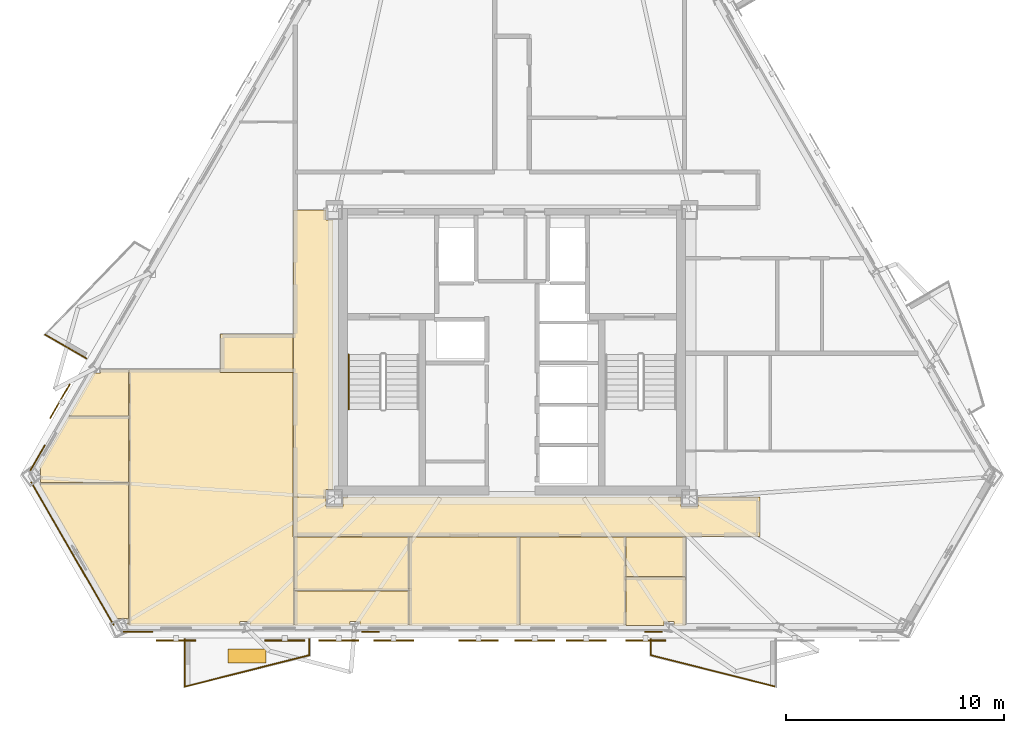
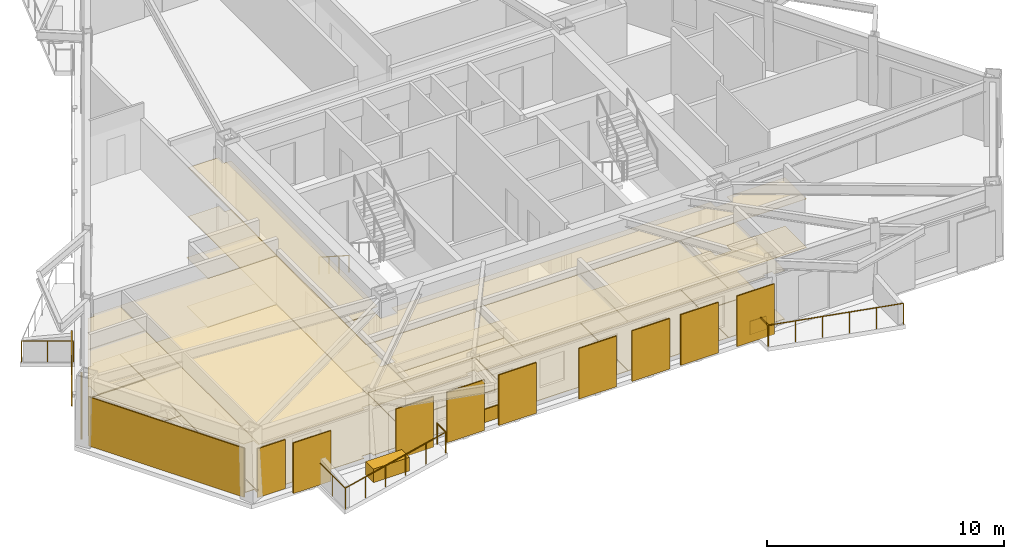
# One storey, part 8 of 10: 32 coverings, 9 shading devices, 7 railings.
"""IFC4 building model written with IfcOpenShell, lengths in metres."""

from ifc_helpers import new_model, si_unit, direction, frame, origin, origin_2d, place, context, subcontext, project, spatial, polyline, rectangle, circle, outline, extrude, material, layer, layer_set, type_object, element, save


model = new_model("IFC4")

# Units and contexts
model_context = context("Model", 3, precision=1e-05, world=origin(), true_north=direction((0.0, 1.0)))
body_context = subcontext(model_context, "Body", "Model", "MODEL_VIEW")
ifc_project = project(units=[si_unit("LENGTHUNIT", "METRE"), si_unit("AREAUNIT", "SQUARE_METRE"), si_unit("VOLUMEUNIT", "CUBIC_METRE"), si_unit("PLANEANGLEUNIT", "RADIAN"), si_unit("MASSUNIT", "GRAM", prefix="KILO")], contexts=[model_context])

# Site, building, storey
site_placement = place(None, origin())
site = spatial("IfcSite", under=ifc_project, at=site_placement, CompositionType="ELEMENT")
building_placement = place(site_placement, origin())
building = spatial("IfcBuilding", under=site, at=building_placement, Name="Oramaril Tower", CompositionType="ELEMENT")
storey_placement = place(building_placement, frame((0.0, 0.0, 181.800048828125)))
storey = spatial("IfcBuildingStorey", under=building, at=storey_placement, Name="L48", CompositionType="ELEMENT", Elevation=181.800048828125)

# Coverings
ifc_material_1 = material(Name="Mineral Fibre Acoustic Ceiling")
ifc_layer_1 = layer(ifc_material_1, 0.02001953125)
ifc_layer_set_1 = layer_set([ifc_layer_1], Name="CVT-CEIL")
covering_type_1 = type_object("IfcCoveringType", Name="CVT-CEIL", PredefinedType="CEILING", material=ifc_layer_set_1)
covering_1_placement = place(storey_placement, frame((0.0, 0.0, 2.511962890625)))
element("IfcCovering", 1, at=covering_1_placement, inside=storey, type_object=covering_type_1, Name="L48 Acoustic Suspended Ceiling 1", PredefinedType="CEILING", context=body_context, shape_type="SweptSolid", body=[
    extrude(outline(polyline([(28.955078125, 10.60498046875), (29.7451171875, 10.60498046875), (29.7451171875, 11.030029296875), (45.2548828125, 11.030029296875), (45.2548828125, 10.60498046875), (46.044921875, 10.60498046875), (46.044921875, 11.030029296875), (48.8798828125, 11.030029296875), (48.8798828125, 9.219970703125), (27.469970703125, 9.219970703125), (27.469970703125, 11.030029296875), (28.955078125, 11.030029296875), (28.955078125, 10.60498046875)])), origin(), (0.0, 0.0, 1.0), 0.02001953125),
])
covering_2_placement = place(storey_placement, frame((0.0, 0.0, 2.511962890625)))
element("IfcCovering", 2, at=covering_2_placement, inside=storey, type_object=covering_type_1, Name="L48 Acoustic Suspended Ceiling 3", PredefinedType="CEILING", context=body_context, shape_type="SweptSolid", body=[
    extrude(outline(polyline([(28.955078125, 23.7548828125), (29.280029296875, 23.7548828125), (29.280029296875, 11.39501953125), (28.955078125, 11.39501953125), (28.955078125, 11.050048828125), (27.469970703125, 11.050048828125), (27.469970703125, 24.219970703125), (28.955078125, 24.219970703125), (28.955078125, 23.7548828125)])), origin(), (0.0, 0.0, 1.0), 0.02001953125),
])
covering_3_placement = place(storey_placement, frame((0.0, 0.0, 2.511962890625)))
element("IfcCovering", 3, at=covering_3_placement, inside=storey, type_object=covering_type_1, Name="L48 Acoustic Suspended Ceiling 5", PredefinedType="CEILING", context=body_context, shape_type="SweptSolid", body=[
    extrude(outline(polyline([(24.1201171875, 16.77001953125), (24.1201171875, 18.530029296875), (27.449951171875, 18.530029296875), (27.449951171875, 16.77001953125), (24.1201171875, 16.77001953125)])), origin(), (0.0, 0.0, 1.0), 0.02001953125),
])
covering_4_placement = place(storey_placement, frame((0.0, 0.0, 2.511962890625)))
element("IfcCovering", 4, at=covering_4_placement, inside=storey, type_object=covering_type_1, Name="L48 Acoustic Suspended Ceiling 6", PredefinedType="CEILING", context=body_context, shape_type="SweptSolid", body=[
    extrude(outline(polyline([(37.842041015625, 5.136962890625), (32.758056640625, 5.136962890625), (32.758056640625, 9.199951171875), (37.842041015625, 9.199951171875), (37.842041015625, 5.136962890625)])), origin(), (0.0, 0.0, 1.0), 0.02001953125),
])
covering_5_placement = place(storey_placement, frame((0.0, 0.0, 2.511962890625)))
element("IfcCovering", 5, at=covering_5_placement, inside=storey, type_object=covering_type_1, Name="L48 Acoustic Suspended Ceiling 7", PredefinedType="CEILING", context=body_context, shape_type="SweptSolid", body=[
    extrude(outline(polyline([(27.508056640625, 6.752685546875), (27.508056640625, 9.199951171875), (32.738037109375, 9.199951171875), (32.738037109375, 6.752685546875), (27.508056640625, 6.752685546875)])), origin(), (0.0, 0.0, 1.0), 0.02001953125),
])
covering_6_placement = place(storey_placement, frame((0.0, 0.0, 2.511962890625)))
element("IfcCovering", 6, at=covering_6_placement, inside=storey, type_object=covering_type_1, Name="L48 Acoustic Suspended Ceiling 8", PredefinedType="CEILING", context=body_context, shape_type="SweptSolid", body=[
    extrude(outline(polyline([(30.5087890625, 5.136962890625), (30.5087890625, 5.31982421875), (30.0576171875, 5.31982421875), (30.0576171875, 5.136962890625), (27.508056640625, 5.136962890625), (27.508056640625, 6.73291015625), (32.738037109375, 6.73291015625), (32.738037109375, 5.136962890625), (30.5087890625, 5.136962890625)])), origin(), (0.0, 0.0, 1.0), 0.02001953125),
])
covering_7_placement = place(storey_placement, frame((0.0, 0.0, 2.511962890625)))
element("IfcCovering", 7, at=covering_7_placement, inside=storey, type_object=covering_type_1, Name="L48 Acoustic Suspended Ceiling 9", PredefinedType="CEILING", context=body_context, shape_type="SweptSolid", body=[
    extrude(outline(polyline([(42.71875, 5.136962890625), (37.862060546875, 5.136962890625), (37.862060546875, 9.199951171875), (42.71875, 9.199951171875), (42.71875, 5.136962890625)])), origin(), (0.0, 0.0, 1.0), 0.02001953125),
])
covering_8_placement = place(storey_placement, frame((0.0, 0.0, 2.511962890625)))
element("IfcCovering", 8, at=covering_8_placement, inside=storey, type_object=covering_type_1, Name="L48 Acoustic Suspended Ceiling 10", PredefinedType="CEILING", context=body_context, shape_type="SweptSolid", body=[
    extrude(outline(polyline([(44.9423828125, 5.31982421875), (44.4912109375, 5.31982421875), (44.4912109375, 5.136962890625), (42.73876953125, 5.136962890625), (42.73876953125, 7.364990234375), (45.4619140625, 7.364990234375), (45.4619140625, 5.136962890625), (44.9423828125, 5.136962890625), (44.9423828125, 5.31982421875)])), origin(), (0.0, 0.0, 1.0), 0.02001953125),
])
covering_9_placement = place(storey_placement, frame((0.0, 0.0, 2.511962890625)))
element("IfcCovering", 9, at=covering_9_placement, inside=storey, type_object=covering_type_1, Name="L48 Acoustic Suspended Ceiling 11", PredefinedType="CEILING", context=body_context, shape_type="SweptSolid", body=[
    extrude(outline(polyline([(45.4619140625, 7.385009765625), (42.73876953125, 7.385009765625), (42.73876953125, 9.199951171875), (45.4619140625, 9.199951171875), (45.4619140625, 7.385009765625)])), origin(), (0.0, 0.0, 1.0), 0.02001953125),
])
covering_10_placement = place(storey_placement, frame((0.0, 0.0, 2.511962890625)))
element("IfcCovering", 10, at=covering_10_placement, inside=storey, type_object=covering_type_1, Name="L48 Acoustic Suspended Ceiling 12", PredefinedType="CEILING", context=body_context, shape_type="SweptSolid", body=[
    extrude(outline(polyline([(25.461181640625, 5.31982421875), (25.00146484375, 5.31982421875), (25.00146484375, 5.136962890625), (19.915771484375, 5.136962890625), (19.915771484375, 16.89208984375), (24.10009765625, 16.89208984375), (24.10009765625, 16.77001953125), (24.10009765625, 16.76806640625), (24.100341796875, 16.76611328125), (24.100830078125, 16.76416015625), (24.1015625, 16.76220703125), (24.102294921875, 16.760498046875), (24.103515625, 16.7587890625), (24.1044921875, 16.75732421875), (24.10595703125, 16.755859375), (24.107421875, 16.75439453125), (24.10888671875, 16.75341796875), (24.110595703125, 16.75244140625), (24.1123046875, 16.75146484375), (24.1142578125, 16.7509765625), (24.1162109375, 16.75048828125), (24.117919921875, 16.75), (24.1201171875, 16.75), (27.449951171875, 16.75), (27.449951171875, 11.050048828125), (27.4501953125, 11.048095703125), (27.450439453125, 11.046142578125), (27.450927734375, 11.044189453125), (27.451416015625, 11.042236328125), (27.452392578125, 11.04052734375), (27.45263671875, 11.0400390625), (27.452392578125, 11.039306640625), (27.451416015625, 11.03759765625), (27.450927734375, 11.035888671875), (27.450439453125, 11.033935546875), (27.4501953125, 11.031982421875), (27.449951171875, 11.030029296875), (27.449951171875, 9.219970703125), (27.4501953125, 9.218017578125), (27.450439453125, 9.216064453125), (27.450927734375, 9.214111328125), (27.451416015625, 9.21240234375), (27.452392578125, 9.210693359375), (27.453369140625, 9.208984375), (27.45458984375, 9.207275390625), (27.455810546875, 9.205810546875), (27.457275390625, 9.20458984375), (27.458984375, 9.203369140625), (27.460693359375, 9.202392578125), (27.46240234375, 9.201416015625), (27.464111328125, 9.200927734375), (27.466064453125, 9.200439453125), (27.468017578125, 9.2001953125), (27.469970703125, 9.199951171875), (27.488037109375, 9.199951171875), (27.488037109375, 6.752685546875), (27.488037109375, 6.750732421875), (27.48828125, 6.748779296875), (27.489013671875, 6.7470703125), (27.489501953125, 6.7451171875), (27.490478515625, 6.743408203125), (27.49072265625, 6.742919921875), (27.490478515625, 6.7421875), (27.489501953125, 6.740478515625), (27.489013671875, 6.738525390625), (27.48828125, 6.73681640625), (27.488037109375, 6.73486328125), (27.488037109375, 6.73291015625), (27.488037109375, 5.136962890625), (25.461181640625, 5.136962890625), (25.461181640625, 5.31982421875)])), origin(), (0.0, 0.0, 1.0), 0.02001953125),
])
covering_11_placement = place(storey_placement, frame((0.0, 0.0, 2.511962890625)))
element("IfcCovering", 11, at=covering_11_placement, inside=storey, type_object=covering_type_1, Name="L48 Acoustic Suspended Ceiling 13", PredefinedType="CEILING", context=body_context, shape_type="SweptSolid", body=[
    extrude(outline(polyline([(19.84326171875, 5.136962890625), (19.84326171875, 5.470458984375), (19.343017578125, 5.470458984375), (15.808837890625, 11.591552734375), (15.851318359375, 11.591552734375), (15.851318359375, 11.688720703125), (19.895751953125, 11.688720703125), (19.895751953125, 5.136962890625), (19.84326171875, 5.136962890625)])), origin(), (0.0, 0.0, 1.0), 0.02001953125),
])
covering_12_placement = place(storey_placement, frame((0.0, 0.0, 2.511962890625)))
element("IfcCovering", 12, at=covering_12_placement, inside=storey, type_object=covering_type_1, Name="L48 Acoustic Suspended Ceiling 14", PredefinedType="CEILING", context=body_context, shape_type="SweptSolid", body=[
    extrude(outline(polyline([(19.895751953125, 14.73876953125), (19.895751953125, 11.708740234375), (15.851318359375, 11.708740234375), (15.851318359375, 12.393798828125), (15.77294921875, 12.393798828125), (17.126708984375, 14.73876953125), (19.895751953125, 14.73876953125)])), origin(), (0.0, 0.0, 1.0), 0.02001953125),
])
covering_13_placement = place(storey_placement, frame((0.0, 0.0, 2.511962890625)))
element("IfcCovering", 13, at=covering_13_placement, inside=storey, type_object=covering_type_1, Name="L48 Acoustic Suspended Ceiling 15", PredefinedType="CEILING", context=body_context, shape_type="SweptSolid", body=[
    extrude(outline(polyline([(18.285888671875, 16.746337890625), (18.590087890625, 16.746337890625), (18.590087890625, 16.89208984375), (19.895751953125, 16.89208984375), (19.895751953125, 14.7587890625), (17.13818359375, 14.7587890625), (18.285888671875, 16.746337890625)])), origin(), (0.0, 0.0, 1.0), 0.02001953125),
])
ifc_material_2 = material(Name="Warm Cream Limestone", Category="masonry")
ifc_layer_2 = layer(ifc_material_2, 0.050048828125)
ifc_layer_set_2 = layer_set([ifc_layer_2], Name="CVT-CLD")
covering_type_2 = type_object("IfcCoveringType", Name="CVT-CLD", PredefinedType="CLADDING", material=ifc_layer_set_2)
covering_14_placement = place(storey_placement, frame((17.308349609375, 8.4423828125, 0.0400390625), z_axis=(0.0, 0.0, 1.0), x_axis=(0.500009068969, -0.866020167749, 0.0)))
element("IfcCovering", 14, at=covering_14_placement, inside=storey, type_object=covering_type_2, Name="L48 Warm Cream Limestone Cladding", PredefinedType="CLADDING", context=body_context, shape_type="SweptSolid", body=[
    extrude(rectangle(XDim=7.5771484375, YDim=0.050048828125, at=origin_2d()), origin(), (0.0, 0.0, 1.0), 2.52001953125),
])
covering_15_placement = place(storey_placement, frame((20.3232421875, 4.86083984375, 0.0400390625), z_axis=(0.0, 0.0, 1.0), x_axis=(1.0, 0.0, 0.0)))
element("IfcCovering", 15, at=covering_15_placement, inside=storey, type_object=covering_type_2, Name="L48 Warm Cream Limestone Cladding", PredefinedType="CLADDING", context=body_context, shape_type="SweptSolid", body=[
    extrude(rectangle(XDim=1.35009765625, YDim=0.050048828125, at=origin_2d()), origin(), (0.0, 0.0, 1.0), 2.52001953125),
])
for number, where, z_axis, x_axis, name in (
    (16, (31.010498046875, 4.86083984375, 0.0400390625), (0.0, 0.0, 1.0), (1.0, 0.0, 0.0), "L48 Warm Cream Limestone Spandrel Cladding"),
    (17, (43.989501953125, 4.86083984375, 0.0400390625), (0.0, 0.0, 1.0), (1.0, 0.0, 0.0), "L48 Warm Cream Limestone Spandrel Cladding"),
):
    element("IfcCovering", number, at=place(storey_placement, frame(where, z_axis=z_axis, x_axis=x_axis)), inside=storey, type_object=covering_type_2, Name=name, PredefinedType="CLADDING", context=body_context, shape_type="SweptSolid", body=[
        extrude(rectangle(XDim=0.800048828125, YDim=0.050048828125, at=origin_2d()), origin(), (0.0, 0.0, 1.0), 0.679931640625),
    ])
covering_16_placement = place(storey_placement, frame((15.714111328125, 12.843994140625, 0.0400390625), z_axis=(0.0, 0.0, 1.0), x_axis=(-0.5, -0.866025403784, 0.0)))
element("IfcCovering", 18, at=covering_16_placement, inside=storey, type_object=covering_type_2, Name="L48 Warm Cream Limestone Cladding", PredefinedType="CLADDING", context=body_context, shape_type="SweptSolid", body=[
    extrude(rectangle(XDim=1.35009765625, YDim=0.050048828125, at=origin_2d()), origin(), (0.0, 0.0, 1.0), 2.52001953125),
])
covering_17_placement = place(storey_placement, frame((25.33251953125, 3.732421875, 0.0), z_axis=(0.0, 0.0, 1.0), x_axis=(1.0, 0.0, 0.0)))
element("IfcCovering", 19, at=covering_17_placement, inside=storey, type_object=covering_type_2, Name="L48 Structural Tree Planter Box L48-BAL-S1", PredefinedType="CLADDING", context=body_context, shape_type="SweptSolid", body=[
    extrude(rectangle(XDim=1.75, YDim=0.64990234375, at=origin_2d()), origin(), (0.0, 0.0, 1.0), 0.699951171875),
])
ifc_material_3 = material(Name="Honed Quartzite Stone Flooring", Category="masonry")
ifc_layer_3 = layer(ifc_material_3, 0.02490234375)
ifc_layer_set_3 = layer_set([ifc_layer_3], Name="CVT-FLR")
covering_type_3 = type_object("IfcCoveringType", Name="CVT-FLR", PredefinedType="FLOORING", material=ifc_layer_set_3)
covering_18_placement = place(storey_placement, origin())
element("IfcCovering", 20, at=covering_18_placement, inside=storey, type_object=covering_type_3, Name="L48 Honed Stone Floor Finish 1", PredefinedType="FLOORING", context=body_context, shape_type="SweptSolid", body=[
    extrude(outline(polyline([(28.955078125, 10.60498046875), (29.7451171875, 10.60498046875), (29.7451171875, 11.030029296875), (45.2548828125, 11.030029296875), (45.2548828125, 10.60498046875), (46.044921875, 10.60498046875), (46.044921875, 11.030029296875), (48.8798828125, 11.030029296875), (48.8798828125, 9.219970703125), (27.469970703125, 9.219970703125), (27.469970703125, 11.030029296875), (28.955078125, 11.030029296875), (28.955078125, 10.60498046875)])), origin(), (0.0, 0.0, 1.0), 0.02490234375),
])
covering_19_placement = place(storey_placement, origin())
element("IfcCovering", 21, at=covering_19_placement, inside=storey, type_object=covering_type_3, Name="L48 Honed Stone Floor Finish 3", PredefinedType="FLOORING", context=body_context, shape_type="SweptSolid", body=[
    extrude(outline(polyline([(28.955078125, 23.7548828125), (29.280029296875, 23.7548828125), (29.280029296875, 11.39501953125), (28.955078125, 11.39501953125), (28.955078125, 11.050048828125), (27.469970703125, 11.050048828125), (27.469970703125, 24.219970703125), (28.955078125, 24.219970703125), (28.955078125, 23.7548828125)])), origin(), (0.0, 0.0, 1.0), 0.02490234375),
])
covering_20_placement = place(storey_placement, origin())
element("IfcCovering", 22, at=covering_20_placement, inside=storey, type_object=covering_type_3, Name="L48 Honed Stone Floor Finish 5", PredefinedType="FLOORING", context=body_context, shape_type="SweptSolid", body=[
    extrude(outline(polyline([(24.1201171875, 16.77001953125), (24.1201171875, 18.530029296875), (27.449951171875, 18.530029296875), (27.449951171875, 16.77001953125), (24.1201171875, 16.77001953125)])), origin(), (0.0, 0.0, 1.0), 0.02490234375),
])
covering_21_placement = place(storey_placement, origin())
element("IfcCovering", 23, at=covering_21_placement, inside=storey, type_object=covering_type_3, Name="L48 Honed Stone Floor Finish 6", PredefinedType="FLOORING", context=body_context, shape_type="SweptSolid", body=[
    extrude(outline(polyline([(37.842041015625, 5.136962890625), (32.758056640625, 5.136962890625), (32.758056640625, 9.199951171875), (37.842041015625, 9.199951171875), (37.842041015625, 5.136962890625)])), origin(), (0.0, 0.0, 1.0), 0.02490234375),
])
covering_22_placement = place(storey_placement, origin())
element("IfcCovering", 24, at=covering_22_placement, inside=storey, type_object=covering_type_3, Name="L48 Honed Stone Floor Finish 7", PredefinedType="FLOORING", context=body_context, shape_type="SweptSolid", body=[
    extrude(outline(polyline([(27.508056640625, 6.752685546875), (27.508056640625, 9.199951171875), (32.738037109375, 9.199951171875), (32.738037109375, 6.752685546875), (27.508056640625, 6.752685546875)])), origin(), (0.0, 0.0, 1.0), 0.02490234375),
])
covering_23_placement = place(storey_placement, origin())
element("IfcCovering", 25, at=covering_23_placement, inside=storey, type_object=covering_type_3, Name="L48 Honed Stone Floor Finish 8", PredefinedType="FLOORING", context=body_context, shape_type="SweptSolid", body=[
    extrude(outline(polyline([(30.5087890625, 5.136962890625), (30.5087890625, 5.31982421875), (30.0576171875, 5.31982421875), (30.0576171875, 5.136962890625), (27.508056640625, 5.136962890625), (27.508056640625, 6.73291015625), (32.738037109375, 6.73291015625), (32.738037109375, 5.136962890625), (30.5087890625, 5.136962890625)])), origin(), (0.0, 0.0, 1.0), 0.02490234375),
])
covering_24_placement = place(storey_placement, origin())
element("IfcCovering", 26, at=covering_24_placement, inside=storey, type_object=covering_type_3, Name="L48 Honed Stone Floor Finish 9", PredefinedType="FLOORING", context=body_context, shape_type="SweptSolid", body=[
    extrude(outline(polyline([(42.71875, 5.136962890625), (37.862060546875, 5.136962890625), (37.862060546875, 9.199951171875), (42.71875, 9.199951171875), (42.71875, 5.136962890625)])), origin(), (0.0, 0.0, 1.0), 0.02490234375),
])
covering_25_placement = place(storey_placement, origin())
element("IfcCovering", 27, at=covering_25_placement, inside=storey, type_object=covering_type_3, Name="L48 Honed Stone Floor Finish 10", PredefinedType="FLOORING", context=body_context, shape_type="SweptSolid", body=[
    extrude(outline(polyline([(44.9423828125, 5.31982421875), (44.4912109375, 5.31982421875), (44.4912109375, 5.136962890625), (42.73876953125, 5.136962890625), (42.73876953125, 7.364990234375), (45.4619140625, 7.364990234375), (45.4619140625, 5.136962890625), (44.9423828125, 5.136962890625), (44.9423828125, 5.31982421875)])), origin(), (0.0, 0.0, 1.0), 0.02490234375),
])
covering_26_placement = place(storey_placement, origin())
element("IfcCovering", 28, at=covering_26_placement, inside=storey, type_object=covering_type_3, Name="L48 Honed Stone Floor Finish 11", PredefinedType="FLOORING", context=body_context, shape_type="SweptSolid", body=[
    extrude(outline(polyline([(45.4619140625, 7.385009765625), (42.73876953125, 7.385009765625), (42.73876953125, 9.199951171875), (45.4619140625, 9.199951171875), (45.4619140625, 7.385009765625)])), origin(), (0.0, 0.0, 1.0), 0.02490234375),
])
covering_27_placement = place(storey_placement, origin())
element("IfcCovering", 29, at=covering_27_placement, inside=storey, type_object=covering_type_3, Name="L48 Honed Stone Floor Finish 12", PredefinedType="FLOORING", context=body_context, shape_type="SweptSolid", body=[
    extrude(outline(polyline([(25.461181640625, 5.31982421875), (25.00146484375, 5.31982421875), (25.00146484375, 5.136962890625), (19.915771484375, 5.136962890625), (19.915771484375, 16.89208984375), (24.10009765625, 16.89208984375), (24.10009765625, 16.77001953125), (24.10009765625, 16.76806640625), (24.100341796875, 16.76611328125), (24.100830078125, 16.76416015625), (24.1015625, 16.76220703125), (24.102294921875, 16.760498046875), (24.103515625, 16.7587890625), (24.1044921875, 16.75732421875), (24.10595703125, 16.755859375), (24.107421875, 16.75439453125), (24.10888671875, 16.75341796875), (24.110595703125, 16.75244140625), (24.1123046875, 16.75146484375), (24.1142578125, 16.7509765625), (24.1162109375, 16.75048828125), (24.117919921875, 16.75), (24.1201171875, 16.75), (27.449951171875, 16.75), (27.449951171875, 11.050048828125), (27.4501953125, 11.048095703125), (27.450439453125, 11.046142578125), (27.450927734375, 11.044189453125), (27.451416015625, 11.042236328125), (27.452392578125, 11.04052734375), (27.45263671875, 11.0400390625), (27.452392578125, 11.039306640625), (27.451416015625, 11.03759765625), (27.450927734375, 11.035888671875), (27.450439453125, 11.033935546875), (27.4501953125, 11.031982421875), (27.449951171875, 11.030029296875), (27.449951171875, 9.219970703125), (27.4501953125, 9.218017578125), (27.450439453125, 9.216064453125), (27.450927734375, 9.214111328125), (27.451416015625, 9.21240234375), (27.452392578125, 9.210693359375), (27.453369140625, 9.208984375), (27.45458984375, 9.207275390625), (27.455810546875, 9.205810546875), (27.457275390625, 9.20458984375), (27.458984375, 9.203369140625), (27.460693359375, 9.202392578125), (27.46240234375, 9.201416015625), (27.464111328125, 9.200927734375), (27.466064453125, 9.200439453125), (27.468017578125, 9.2001953125), (27.469970703125, 9.199951171875), (27.488037109375, 9.199951171875), (27.488037109375, 6.752685546875), (27.488037109375, 6.750732421875), (27.48828125, 6.748779296875), (27.489013671875, 6.7470703125), (27.489501953125, 6.7451171875), (27.490478515625, 6.743408203125), (27.49072265625, 6.742919921875), (27.490478515625, 6.7421875), (27.489501953125, 6.740478515625), (27.489013671875, 6.738525390625), (27.48828125, 6.73681640625), (27.488037109375, 6.73486328125), (27.488037109375, 6.73291015625), (27.488037109375, 5.136962890625), (25.461181640625, 5.136962890625), (25.461181640625, 5.31982421875)])), origin(), (0.0, 0.0, 1.0), 0.02490234375),
])
covering_28_placement = place(storey_placement, origin())
element("IfcCovering", 30, at=covering_28_placement, inside=storey, type_object=covering_type_3, Name="L48 Honed Stone Floor Finish 13", PredefinedType="FLOORING", context=body_context, shape_type="SweptSolid", body=[
    extrude(outline(polyline([(19.84326171875, 5.136962890625), (19.84326171875, 5.470458984375), (19.343017578125, 5.470458984375), (15.808837890625, 11.591552734375), (15.851318359375, 11.591552734375), (15.851318359375, 11.688720703125), (19.895751953125, 11.688720703125), (19.895751953125, 5.136962890625), (19.84326171875, 5.136962890625)])), origin(), (0.0, 0.0, 1.0), 0.02490234375),
])
covering_29_placement = place(storey_placement, origin())
element("IfcCovering", 31, at=covering_29_placement, inside=storey, type_object=covering_type_3, Name="L48 Honed Stone Floor Finish 14", PredefinedType="FLOORING", context=body_context, shape_type="SweptSolid", body=[
    extrude(outline(polyline([(19.895751953125, 14.73876953125), (19.895751953125, 11.708740234375), (15.851318359375, 11.708740234375), (15.851318359375, 12.393798828125), (15.77294921875, 12.393798828125), (17.126708984375, 14.73876953125), (19.895751953125, 14.73876953125)])), origin(), (0.0, 0.0, 1.0), 0.02490234375),
])
covering_30_placement = place(storey_placement, origin())
element("IfcCovering", 32, at=covering_30_placement, inside=storey, type_object=covering_type_3, Name="L48 Honed Stone Floor Finish 15", PredefinedType="FLOORING", context=body_context, shape_type="SweptSolid", body=[
    extrude(outline(polyline([(18.285888671875, 16.746337890625), (18.590087890625, 16.746337890625), (18.590087890625, 16.89208984375), (19.895751953125, 16.89208984375), (19.895751953125, 14.7587890625), (17.13818359375, 14.7587890625), (18.285888671875, 16.746337890625)])), origin(), (0.0, 0.0, 1.0), 0.02490234375),
])

# Railings
ifc_material_4 = material(Name="Stainless Steel 316L", Category="steel")
railing_type_1 = type_object("IfcRailingType", Name="RLT-GRD", PredefinedType="GUARDRAIL", material=ifc_material_4)
railing_1_placement = place(storey_placement, frame((28.197509765625, 4.52099609375, 0.0)))
element("IfcRailing", 33, at=railing_1_placement, inside=storey, type_object=railing_type_1, Name="L48 Balcony Guardrail L48-BAL-S1.1", PredefinedType="GUARDRAIL", context=body_context, shape_type="SweptSolid", body=[
    extrude(circle(Radius=0.02392578125, at=origin_2d()), frame((0.0, 0.0, 1.076171875), z_axis=(0.0, -1.0, 0.0), x_axis=(1.0, 0.0, 0.0)), (0.0, 0.0, 1.0), 0.7421875),
    extrude(circle(Radius=0.02099609375, at=origin_2d()), origin(), (0.0, 0.0, 1.0), 1.052001953125),
    extrude(circle(Radius=0.02099609375, at=origin_2d()), frame((0.0, -0.7421875, 0.0)), (0.0, 0.0, 1.0), 1.052001953125),
])
railing_2_placement = place(storey_placement, frame((28.197509765625, 3.77880859375, 0.0)))
element("IfcRailing", 34, at=railing_2_placement, inside=storey, type_object=railing_type_1, Name="L48 Balcony Guardrail L48-BAL-S1.2", PredefinedType="GUARDRAIL", context=body_context, shape_type="SweptSolid", body=[
    extrude(circle(Radius=0.02392578125, at=origin_2d()), frame((0.0, 0.0, 1.076171875), z_axis=(-0.969443611257, -0.245314256807, 0.0), x_axis=(0.245314256807, -0.969443611257, 0.0)), (0.0, 0.0, 1.0), 5.91064453125),
    extrude(circle(Radius=0.02099609375, at=origin_2d()), origin(), (0.0, 0.0, 1.0), 1.052001953125),
    extrude(circle(Radius=0.02099609375, at=origin_2d()), frame((-1.14599609375, -0.2900390625, 0.0)), (0.0, 0.0, 1.0), 1.052001953125),
    extrude(circle(Radius=0.02099609375, at=origin_2d()), frame((-2.2919921875, -0.580078125, 0.0)), (0.0, 0.0, 1.0), 1.052001953125),
    extrude(circle(Radius=0.02099609375, at=origin_2d()), frame((-3.43798828125, -0.869873046875, 0.0)), (0.0, 0.0, 1.0), 1.052001953125),
    extrude(circle(Radius=0.02099609375, at=origin_2d()), frame((-4.583984375, -1.159912109375, 0.0)), (0.0, 0.0, 1.0), 1.052001953125),
    extrude(circle(Radius=0.02099609375, at=origin_2d()), frame((-5.72998046875, -1.449951171875, 0.0)), (0.0, 0.0, 1.0), 1.052001953125),
])
railing_3_placement = place(storey_placement, frame((22.467529296875, 2.328857421875, 0.0)))
element("IfcRailing", 35, at=railing_3_placement, inside=storey, type_object=railing_type_1, Name="L48 Balcony Guardrail L48-BAL-S1.3", PredefinedType="GUARDRAIL", context=body_context, shape_type="SweptSolid", body=[
    extrude(circle(Radius=0.02392578125, at=origin_2d()), frame((0.0, 0.0, 1.076171875), z_axis=(0.0, 1.0, 0.0), x_axis=(-1.0, 0.0, 0.0)), (0.0, 0.0, 1.0), 2.192138671875),
    extrude(circle(Radius=0.02099609375, at=origin_2d()), origin(), (0.0, 0.0, 1.0), 1.052001953125),
    extrude(circle(Radius=0.02099609375, at=origin_2d()), frame((0.0, 1.09619140625, 0.0)), (0.0, 0.0, 1.0), 1.052001953125),
    extrude(circle(Radius=0.02099609375, at=origin_2d()), frame((0.0, 2.192138671875, 0.0)), (0.0, 0.0, 1.0), 1.052001953125),
])
railing_4_placement = place(storey_placement, frame((49.607421875, 2.328857421875, 0.0)))
element("IfcRailing", 36, at=railing_4_placement, inside=storey, type_object=railing_type_1, Name="L48 Balcony Guardrail L48-BAL-S2.2", PredefinedType="GUARDRAIL", context=body_context, shape_type="SweptSolid", body=[
    extrude(circle(Radius=0.02392578125, at=origin_2d()), frame((0.0, 0.0, 1.076171875), z_axis=(-0.969443611257, 0.245314256807, 0.0), x_axis=(-0.245314256807, -0.969443611257, 0.0)), (0.0, 0.0, 1.0), 5.91064453125),
    extrude(circle(Radius=0.02099609375, at=origin_2d()), origin(), (0.0, 0.0, 1.0), 1.052001953125),
    extrude(circle(Radius=0.02099609375, at=origin_2d()), frame((-1.14599609375, 0.2900390625, 0.0)), (0.0, 0.0, 1.0), 1.052001953125),
    extrude(circle(Radius=0.02099609375, at=origin_2d()), frame((-2.2919921875, 0.580078125, 0.0)), (0.0, 0.0, 1.0), 1.052001953125),
    extrude(circle(Radius=0.02099609375, at=origin_2d()), frame((-3.43798828125, 0.869873046875, 0.0)), (0.0, 0.0, 1.0), 1.052001953125),
    extrude(circle(Radius=0.02099609375, at=origin_2d()), frame((-4.583984375, 1.159912109375, 0.0)), (0.0, 0.0, 1.0), 1.052001953125),
    extrude(circle(Radius=0.02099609375, at=origin_2d()), frame((-5.72998046875, 1.449951171875, 0.0)), (0.0, 0.0, 1.0), 1.052001953125),
])
railing_5_placement = place(storey_placement, frame((43.87744140625, 3.77880859375, 0.0)))
element("IfcRailing", 37, at=railing_5_placement, inside=storey, type_object=railing_type_1, Name="L48 Balcony Guardrail L48-BAL-S2.3", PredefinedType="GUARDRAIL", context=body_context, shape_type="SweptSolid", body=[
    extrude(circle(Radius=0.02392578125, at=origin_2d()), frame((0.0, 0.0, 1.076171875), z_axis=(0.0, 1.0, 0.0), x_axis=(-1.0, 0.0, 0.0)), (0.0, 0.0, 1.0), 0.7421875),
    extrude(circle(Radius=0.02099609375, at=origin_2d()), origin(), (0.0, 0.0, 1.0), 1.052001953125),
    extrude(circle(Radius=0.02099609375, at=origin_2d()), frame((0.0, 0.7421875, 0.0)), (0.0, 0.0, 1.0), 1.052001953125),
])
railing_6_placement = place(storey_placement, frame((17.954345703125, 17.404296875, 0.0)))
element("IfcRailing", 38, at=railing_6_placement, inside=storey, type_object=railing_type_1, Name="L48 Balcony Guardrail L48-BAL-NW2.1", PredefinedType="GUARDRAIL", context=body_context, shape_type="SweptSolid", body=[
    extrude(circle(Radius=0.02392578125, at=origin_2d()), frame((0.0, 0.0, 1.076171875), z_axis=(-0.866048343933, 0.499960264392, 0.0), x_axis=(-0.499960264392, -0.866048343933, 0.0)), (0.0, 0.0, 1.0), 2.192138671875),
    extrude(circle(Radius=0.02099609375, at=origin_2d()), origin(), (0.0, 0.0, 1.0), 1.052001953125),
    extrude(circle(Radius=0.02099609375, at=origin_2d()), frame((-0.94921875, 0.5478515625, 0.0)), (0.0, 0.0, 1.0), 1.052001953125),
    extrude(circle(Radius=0.02099609375, at=origin_2d()), frame((-1.8984375, 1.095947265625, 0.0)), (0.0, 0.0, 1.0), 1.052001953125),
])
ifc_material_5 = material(Name="Stainless Steel 316L", Category="steel")
railing_type_2 = type_object("IfcRailingType", Name="RLT-HND", PredefinedType="HANDRAIL", material=ifc_material_5)
railing_7_placement = place(storey_placement, frame((30.0, 17.590087890625, 0.179931640625)))
element("IfcRailing", 39, at=railing_7_placement, inside=storey, type_object=railing_type_2, Name="L48 ST-1 stair handrail 1", PredefinedType="HANDRAIL", context=body_context, shape_type="SweptSolid", body=[
    extrude(circle(Radius=0.02392578125, at=origin_2d()), frame((0.0, 0.0, 0.8759765625), z_axis=(0.0, -0.841162588446, 0.540782303519), x_axis=(1.0, 0.0, 0.0)), (0.0, 0.0, 1.0), 2.995849609375),
    extrude(circle(Radius=0.02099609375, at=origin_2d()), origin(), (0.0, 0.0, 1.0), 0.851806640625),
    extrude(circle(Radius=0.02099609375, at=origin_2d()), frame((0.0, -0.840087890625, 0.5400390625)), (0.0, 0.0, 1.0), 0.851806640625),
    extrude(circle(Radius=0.02099609375, at=origin_2d()), frame((0.0, -1.679931640625, 1.080078125)), (0.0, 0.0, 1.0), 0.851806640625),
    extrude(circle(Radius=0.02099609375, at=origin_2d()), frame((0.0, -2.52001953125, 1.6201171875)), (0.0, 0.0, 1.0), 0.851806640625),
])

# Shading devices
for number, where, z_axis, x_axis, name in (
    (40, (32.0595703125, 4.448974609375, -0.02001953125), (0.0, 0.0, 1.0), (1.0, 0.0, 0.0), "L48 Perforated Ceramic Solar Screen"),
    (41, (35.959716796875, 4.448974609375, -0.02001953125), (0.0, 0.0, 1.0), (1.0, 0.0, 0.0), "L48 Perforated Ceramic Solar Screen"),
    (42, (38.540283203125, 4.448974609375, -0.02001953125), (0.0, 0.0, 1.0), (1.0, 0.0, 0.0), "L48 Perforated Ceramic Solar Screen"),
    (43, (27.06103515625, 4.448974609375, -0.02001953125), (0.0, 0.0, 1.0), (1.0, 0.0, 0.0), "L48 Perforated Ceramic Solar Screen"),
    (44, (29.540283203125, 4.448974609375, -0.02001953125), (0.0, 0.0, 1.0), (1.0, 0.0, 0.0), "L48 Perforated Ceramic Solar Screen"),
    (45, (40.910400390625, 4.448974609375, -0.02001953125), (0.0, 0.0, 1.0), (1.0, 0.0, 0.0), "L48 Perforated Ceramic Solar Screen"),
    (46, (43.635986328125, 4.448974609375, -0.02001953125), (0.0, 0.0, 1.0), (1.0, 0.0, 0.0), "L48 Perforated Ceramic Solar Screen"),
    (47, (22.06787109375, 4.448974609375, -0.02001953125), (0.0, 0.0, 1.0), (1.0, 0.0, 0.0), "L48 Perforated Ceramic Solar Screen"),
    (48, (16.740234375, 15.445068359375, -0.02001953125), (0.0, 0.0, 1.0), (-0.5, -0.866025403784, 0.0), "L48 Perforated Ceramic Solar Screen"),
):
    element("IfcShadingDevice", number, at=place(storey_placement, frame(where, z_axis=z_axis, x_axis=x_axis)), inside=storey, Name=name, ObjectType="SCREEN", PredefinedType="USERDEFINED", context=body_context, shape_type="SweptSolid", body=[
        extrude(rectangle(XDim=1.8330078125, YDim=0.050048828125, at=origin_2d()), origin(), (0.0, 0.0, 1.0), 2.60009765625),
    ])

save(model, "model.ifc")
